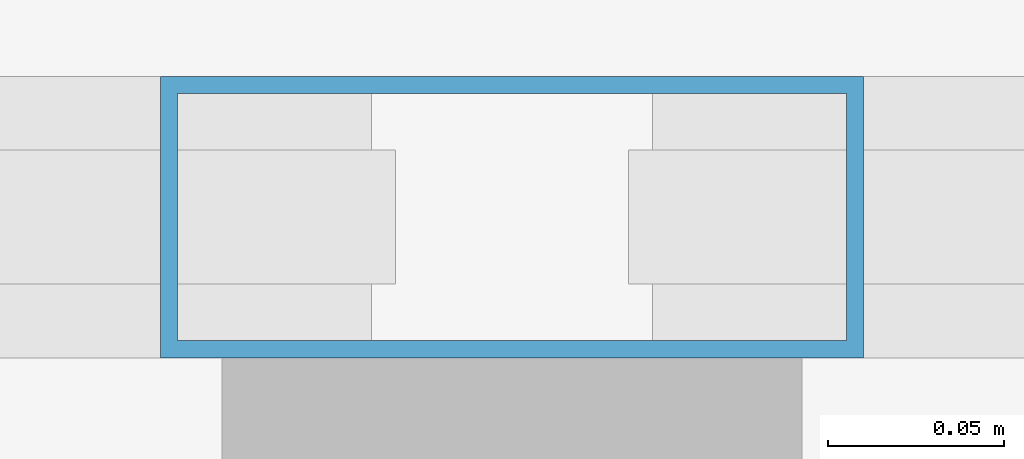
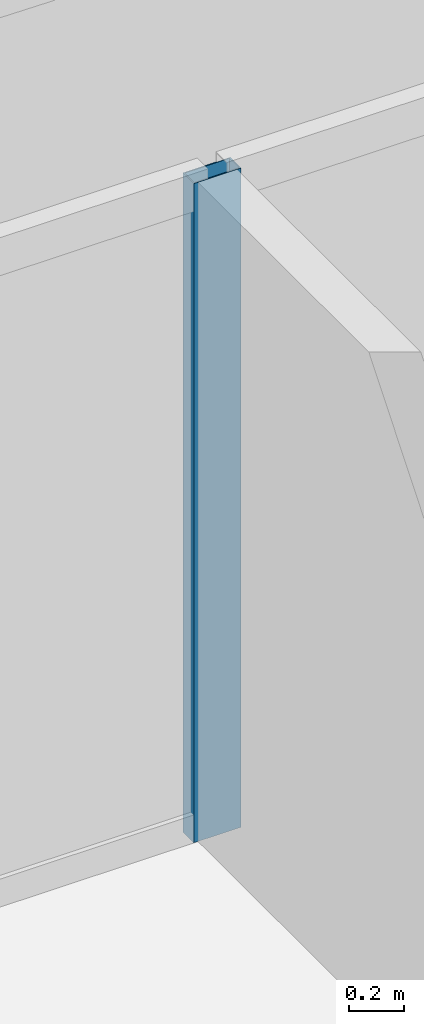
# One storey, part 12 of 21: 1 member, 1 element without a shape of its own.
"""IFC4 building model written with IfcOpenShell, lengths in metres."""

from ifc_helpers import new_model, si_unit, direction, frame, origin, origin_2d, place, context, subcontext, project, spatial, hollow_rectangle, extrude, source, transform, mapped, material, layer, layer_set, material_profile, profile_set, type_object, element, aggregate, save


model = new_model("IFC4")

# Units and contexts
model_context = context("Model", 3, precision=1e-05, world=origin(), true_north=direction((0.0, 1.0)))
body_context = subcontext(model_context, "Body", "Model", "MODEL_VIEW")
ifc_project = project(units=[si_unit("LENGTHUNIT", "METRE"), si_unit("AREAUNIT", "SQUARE_METRE"), si_unit("VOLUMEUNIT", "CUBIC_METRE"), si_unit("PLANEANGLEUNIT", "RADIAN"), si_unit("MASSUNIT", "GRAM", prefix="KILO")], contexts=[model_context])

# Site, building, storey
site_placement = place(None, origin())
site = spatial("IfcSite", under=ifc_project, at=site_placement, CompositionType="ELEMENT")
building_placement = place(site_placement, origin())
building = spatial("IfcBuilding", under=site, at=building_placement, Name="Kolveth Station Tower", CompositionType="ELEMENT")
storey_placement = place(building_placement, frame((0.0, 0.0, 131.10009765625)))
storey = spatial("IfcBuildingStorey", under=building, at=storey_placement, Name="L36", CompositionType="ELEMENT", Elevation=131.10009765625)

# Curtain wall, member
ifc_material_1 = material(Name="Aluminium 6063-T6 and low-E dark glass", Category="aluminium")
ifc_layer = layer(ifc_material_1, 0.18994140625)
ifc_layer_set = layer_set([ifc_layer], Name="Aluminium 6063-T6 and low-E dark glass")
curtain_wall_type = type_object("IfcCurtainWallType", Name="CurtainWall_CW-Z2", PredefinedType="NOTDEFINED", material=ifc_layer_set)
curtain_wall_placement = place(storey_placement, origin())
curtain_wall = element("IfcCurtainWall", 1, at=curtain_wall_placement, inside=storey, type_object=curtain_wall_type, Name="L36 Inner Thermal Curtain Wall 6", PredefinedType="NOTDEFINED")
ifc_material_2 = material(Name="Black anodized aluminium 6063-T6", Category="aluminium")
ifc_material_profile = material_profile(ifc_material_2, hollow_rectangle(XDim=0.080078125, YDim=0.199951171875, WallThickness=0.0048828125, at=origin_2d()), Name="ALU-80x200x5")
ifc_profile_set = profile_set([ifc_material_profile], Name="Black anodized aluminium 6063-T6")
member_type = type_object("IfcMemberType", Name="Mullion_ML2", PredefinedType="MULLION", material=ifc_profile_set)
shared_shape = source(origin(), body_context, "Body", "SweptSolid", [
    extrude(hollow_rectangle(XDim=0.080078125, YDim=0.199951171875, WallThickness=0.0048828125, at=origin_2d()), origin(), (0.0, 0.0, 1.0), 2.949951171875),
])
member_placement = place(storey_placement, frame((23.5, 35.179931640625, 0.0), z_axis=(0.0, 0.0, 1.0), x_axis=(0.0, -1.0, 0.0)))
member = element("IfcMember", 2, at=member_placement, type_object=member_type, Name="CW-Z2 mullion 2", PredefinedType="MULLION", context=body_context, shape_type="MappedRepresentation", body=[
    mapped(shared_shape, transform((0.0, 0.0, 0.0), x_axis=(1.0, 0.0, 0.0), y_axis=(0.0, 1.0, 0.0), z_axis=(0.0, 0.0, 1.0), scale=1.0)),
])
aggregate(curtain_wall, [member])

save(model, "model.ifc")
